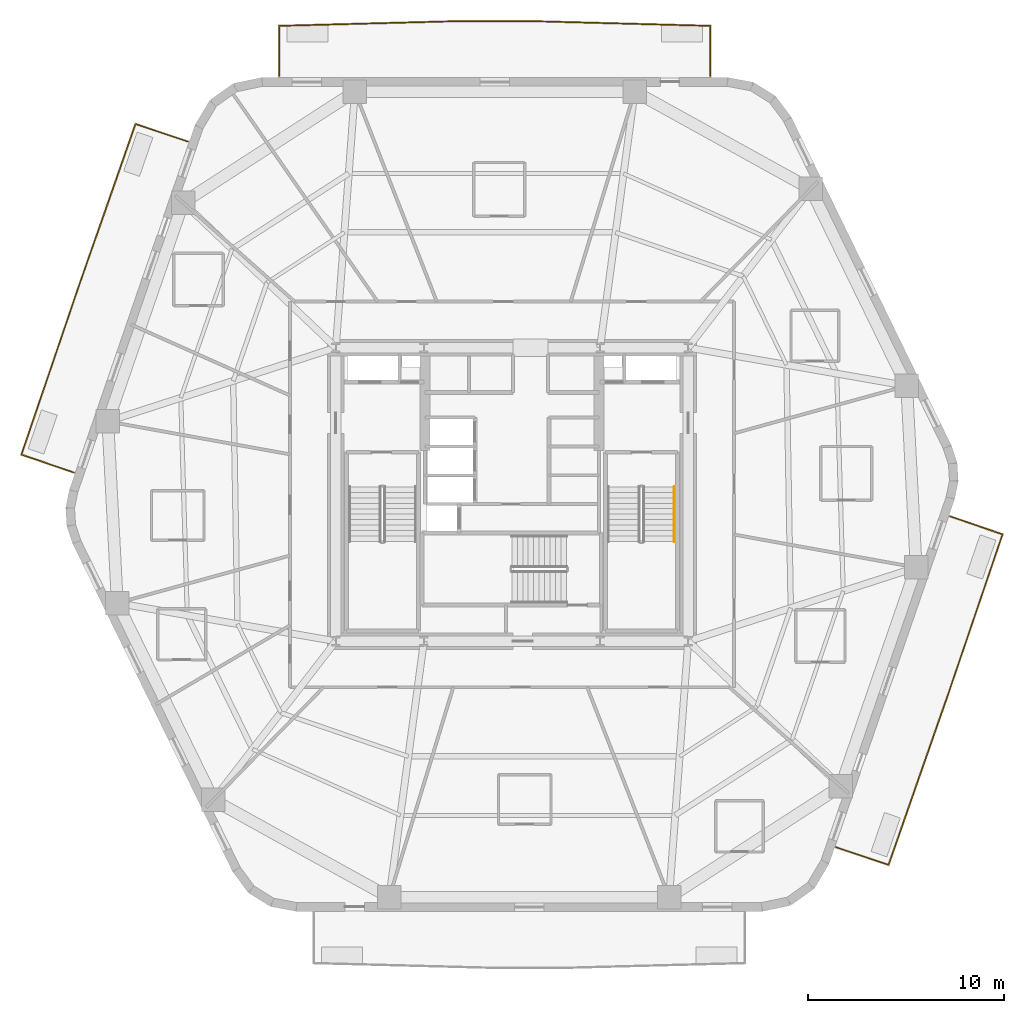
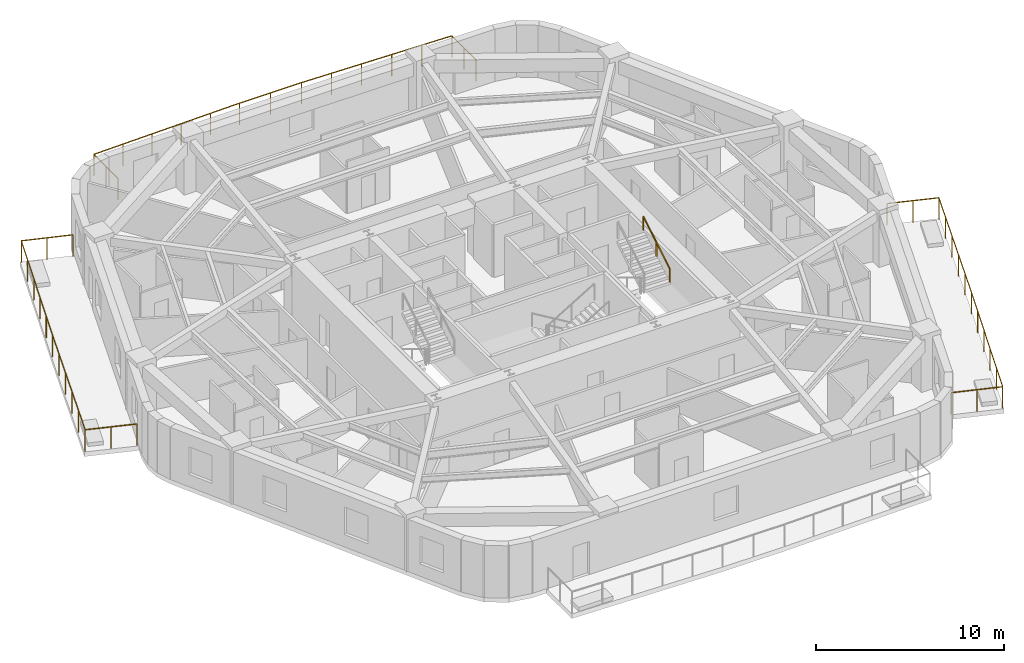
# One storey, part 8 of 8: 4 railings.
"""IFC4 building model written with IfcOpenShell, lengths in metres."""

from ifc_helpers import new_model, si_unit, direction, frame, origin, origin_2d, place, context, subcontext, project, spatial, rectangle, extrude, material, layer, layer_set, type_object, element, save


model = new_model("IFC4")

# Units and contexts
model_context = context("Model", 3, precision=1e-05, world=origin(), true_north=direction((0.0, 1.0)))
body_context = subcontext(model_context, "Body", "Model", "MODEL_VIEW")
ifc_project = project(units=[si_unit("LENGTHUNIT", "METRE"), si_unit("AREAUNIT", "SQUARE_METRE"), si_unit("VOLUMEUNIT", "CUBIC_METRE"), si_unit("PLANEANGLEUNIT", "RADIAN"), si_unit("MASSUNIT", "GRAM", prefix="KILO")], contexts=[model_context])

# Site, building, storey
site_placement = place(None, origin())
site = spatial("IfcSite", under=ifc_project, at=site_placement, CompositionType="ELEMENT")
building_placement = place(site_placement, origin())
building = spatial("IfcBuilding", under=site, at=building_placement, Name="Kilnhurst Terrace Hotel", CompositionType="ELEMENT")
storey_placement = place(building_placement, frame((0.0, 0.0, 132.10009765625)))
storey = spatial("IfcBuildingStorey", under=building, at=storey_placement, Name="L32", CompositionType="ELEMENT", Elevation=132.10009765625)

# Railings
ifc_material_1 = material(Name="Laminated SentryGlas and Stainless Steel AISI 316L Balustrade", Category="steel")
ifc_layer_1 = layer(ifc_material_1, 0.070068359375, Name="Laminated SentryGlas and Stainless Steel AISI 316L Balustrade")
ifc_layer_set_1 = layer_set([ifc_layer_1], Name="Laminated SentryGlas and Stainless Steel AISI 316L Balustrade")
railing_type_1 = type_object("IfcRailingType", Name="RLG-BAL-1420", PredefinedType="BALUSTRADE", material=ifc_layer_set_1)
railing_1_placement = place(storey_placement, frame((22.394287109375, -1.123779296875, 0.0)))
element("IfcRailing", 1, at=railing_1_placement, inside=storey, type_object=railing_type_1, Name="L32 Exterior Terrace Guardrail BAL-L1B.1", PredefinedType="BALUSTRADE", context=body_context, shape_type="SweptSolid", body=[
    extrude(rectangle(XDim=0.048095703125, YDim=0.048095703125, at=origin_2d()), frame((0.0, 0.0, 1.39599609375), z_axis=(0.945999088216, -0.324169284625, 0.0), x_axis=(0.324169284625, 0.945999088216, 0.0)), (0.0, 0.0, 1.0), 2.818115234375),
    extrude(rectangle(XDim=0.048095703125, YDim=0.048095703125, at=origin_2d()), frame((2.666015625, -0.91357421875, 1.39599609375), z_axis=(-0.322236749626, -0.946659113509, 0.0), x_axis=(0.946659113509, -0.322236749626, 0.0)), (0.0, 0.0, 1.0), 8.94921875),
    extrude(rectangle(XDim=0.048095703125, YDim=0.048095703125, at=origin_2d()), frame((-0.2177734375, -9.385498046875, 1.39599609375), z_axis=(-0.329867270016, -0.94402732173, 0.0), x_axis=(0.94402732173, -0.329867270016, 0.0)), (0.0, 0.0, 1.0), 8.9140625),
    extrude(rectangle(XDim=0.048095703125, YDim=0.048095703125, at=origin_2d()), frame((-3.158203125, -17.800537109375, 1.39599609375), z_axis=(-0.948125796951, 0.317895380834, 0.0), x_axis=(-0.317895380834, -0.948125796951, 0.0)), (0.0, 0.0, 1.0), 2.81005859375),
    extrude(rectangle(XDim=0.0419921875, YDim=0.0419921875, at=origin_2d()), origin(), (0.0, 0.0, 1.0), 1.371826171875),
    extrude(rectangle(XDim=0.0419921875, YDim=0.0419921875, at=origin_2d()), frame((1.3330078125, -0.456787109375, 0.0)), (0.0, 0.0, 1.0), 1.371826171875),
    extrude(rectangle(XDim=0.0419921875, YDim=0.0419921875, at=origin_2d()), frame((2.666015625, -0.91357421875, 0.0)), (0.0, 0.0, 1.0), 1.371826171875),
    extrude(rectangle(XDim=0.0419921875, YDim=0.0419921875, at=origin_2d()), frame((2.08935546875, -2.60791015625, 0.0)), (0.0, 0.0, 1.0), 1.371826171875),
    extrude(rectangle(XDim=0.0419921875, YDim=0.0419921875, at=origin_2d()), frame((1.512451171875, -4.30224609375, 0.0)), (0.0, 0.0, 1.0), 1.371826171875),
    extrude(rectangle(XDim=0.0419921875, YDim=0.0419921875, at=origin_2d()), frame((0.935791015625, -5.996826171875, 0.0)), (0.0, 0.0, 1.0), 1.371826171875),
    extrude(rectangle(XDim=0.0419921875, YDim=0.0419921875, at=origin_2d()), frame((0.35888671875, -7.691162109375, 0.0)), (0.0, 0.0, 1.0), 1.371826171875),
    extrude(rectangle(XDim=0.0419921875, YDim=0.0419921875, at=origin_2d()), frame((-0.2177734375, -9.385498046875, 0.0)), (0.0, 0.0, 1.0), 1.371826171875),
    extrude(rectangle(XDim=0.0419921875, YDim=0.0419921875, at=origin_2d()), frame((-0.805908203125, -11.068603515625, 0.0)), (0.0, 0.0, 1.0), 1.371826171875),
    extrude(rectangle(XDim=0.0419921875, YDim=0.0419921875, at=origin_2d()), frame((-1.39404296875, -12.75146484375, 0.0)), (0.0, 0.0, 1.0), 1.371826171875),
    extrude(rectangle(XDim=0.0419921875, YDim=0.0419921875, at=origin_2d()), frame((-1.98193359375, -14.4345703125, 0.0)), (0.0, 0.0, 1.0), 1.371826171875),
    extrude(rectangle(XDim=0.0419921875, YDim=0.0419921875, at=origin_2d()), frame((-2.570068359375, -16.117431640625, 0.0)), (0.0, 0.0, 1.0), 1.371826171875),
    extrude(rectangle(XDim=0.0419921875, YDim=0.0419921875, at=origin_2d()), frame((-3.158203125, -17.800537109375, 0.0)), (0.0, 0.0, 1.0), 1.371826171875),
    extrude(rectangle(XDim=0.0419921875, YDim=0.0419921875, at=origin_2d()), frame((-4.490234375, -17.35400390625, 0.0)), (0.0, 0.0, 1.0), 1.371826171875),
    extrude(rectangle(XDim=0.0419921875, YDim=0.0419921875, at=origin_2d()), frame((-5.822509765625, -16.9072265625, 0.0)), (0.0, 0.0, 1.0), 1.371826171875),
])
railing_2_placement = place(storey_placement, frame((-11.8837890625, 21.3798828125, 0.0)))
element("IfcRailing", 2, at=railing_2_placement, inside=storey, type_object=railing_type_1, Name="L32 Exterior Terrace Guardrail BAL-L2A.1", PredefinedType="BALUSTRADE", context=body_context, shape_type="SweptSolid", body=[
    extrude(rectangle(XDim=0.048095703125, YDim=0.048095703125, at=origin_2d()), frame((0.0, 0.0, 1.39599609375), z_axis=(0.0, 1.0, 0.0), x_axis=(-1.0, 0.0, 0.0)), (0.0, 0.0, 1.0), 2.561767578125),
    extrude(rectangle(XDim=0.048095703125, YDim=0.048095703125, at=origin_2d()), frame((0.0, 2.561767578125, 1.39599609375), z_axis=(0.999657105501, 0.026185328367, 0.0), x_axis=(-0.026185328367, 0.999657105501, 0.0)), (0.0, 0.0, 1.0), 9.099853515625),
    extrude(rectangle(XDim=0.048095703125, YDim=0.048095703125, at=origin_2d()), frame((9.0966796875, 2.800048828125, 1.39599609375), z_axis=(1.0, 0.0, 0.0), x_axis=(0.0, 1.0, 0.0)), (0.0, 0.0, 1.0), 3.8134765625),
    extrude(rectangle(XDim=0.048095703125, YDim=0.048095703125, at=origin_2d()), frame((12.91015625, 2.800048828125, 1.39599609375), z_axis=(0.999657105501, -0.026185328367, 0.0), x_axis=(0.026185328367, 0.999657105501, 0.0)), (0.0, 0.0, 1.0), 9.099853515625),
    extrude(rectangle(XDim=0.048095703125, YDim=0.048095703125, at=origin_2d()), frame((22.0068359375, 2.561767578125, 1.39599609375), z_axis=(0.0, -1.0, 0.0), x_axis=(1.0, 0.0, 0.0)), (0.0, 0.0, 1.0), 2.561767578125),
    extrude(rectangle(XDim=0.0419921875, YDim=0.0419921875, at=origin_2d()), origin(), (0.0, 0.0, 1.0), 1.371826171875),
    extrude(rectangle(XDim=0.0419921875, YDim=0.0419921875, at=origin_2d()), frame((0.0, 1.28076171875, 0.0)), (0.0, 0.0, 1.0), 1.371826171875),
    extrude(rectangle(XDim=0.0419921875, YDim=0.0419921875, at=origin_2d()), frame((0.0, 2.561767578125, 0.0)), (0.0, 0.0, 1.0), 1.371826171875),
    extrude(rectangle(XDim=0.0419921875, YDim=0.0419921875, at=origin_2d()), frame((1.8193359375, 2.609375, 0.0)), (0.0, 0.0, 1.0), 1.371826171875),
    extrude(rectangle(XDim=0.0419921875, YDim=0.0419921875, at=origin_2d()), frame((3.638671875, 2.656982421875, 0.0)), (0.0, 0.0, 1.0), 1.371826171875),
    extrude(rectangle(XDim=0.0419921875, YDim=0.0419921875, at=origin_2d()), frame((5.4580078125, 2.704833984375, 0.0)), (0.0, 0.0, 1.0), 1.371826171875),
    extrude(rectangle(XDim=0.0419921875, YDim=0.0419921875, at=origin_2d()), frame((7.27734375, 2.75244140625, 0.0)), (0.0, 0.0, 1.0), 1.371826171875),
    extrude(rectangle(XDim=0.0419921875, YDim=0.0419921875, at=origin_2d()), frame((9.0966796875, 2.800048828125, 0.0)), (0.0, 0.0, 1.0), 1.371826171875),
    extrude(rectangle(XDim=0.0419921875, YDim=0.0419921875, at=origin_2d()), frame((11.00341796875, 2.800048828125, 0.0)), (0.0, 0.0, 1.0), 1.371826171875),
    extrude(rectangle(XDim=0.0419921875, YDim=0.0419921875, at=origin_2d()), frame((12.91015625, 2.800048828125, 0.0)), (0.0, 0.0, 1.0), 1.371826171875),
    extrude(rectangle(XDim=0.0419921875, YDim=0.0419921875, at=origin_2d()), frame((14.7294921875, 2.75244140625, 0.0)), (0.0, 0.0, 1.0), 1.371826171875),
    extrude(rectangle(XDim=0.0419921875, YDim=0.0419921875, at=origin_2d()), frame((16.548828125, 2.704833984375, 0.0)), (0.0, 0.0, 1.0), 1.371826171875),
    extrude(rectangle(XDim=0.0419921875, YDim=0.0419921875, at=origin_2d()), frame((18.3681640625, 2.656982421875, 0.0)), (0.0, 0.0, 1.0), 1.371826171875),
    extrude(rectangle(XDim=0.0419921875, YDim=0.0419921875, at=origin_2d()), frame((20.1875, 2.609375, 0.0)), (0.0, 0.0, 1.0), 1.371826171875),
    extrude(rectangle(XDim=0.0419921875, YDim=0.0419921875, at=origin_2d()), frame((22.0068359375, 2.561767578125, 0.0)), (0.0, 0.0, 1.0), 1.371826171875),
    extrude(rectangle(XDim=0.0419921875, YDim=0.0419921875, at=origin_2d()), frame((22.0068359375, 1.28076171875, 0.0)), (0.0, 0.0, 1.0), 1.371826171875),
    extrude(rectangle(XDim=0.0419921875, YDim=0.0419921875, at=origin_2d()), frame((22.0068359375, 0.0, 0.0)), (0.0, 0.0, 1.0), 1.371826171875),
])
railing_3_placement = place(storey_placement, frame((-22.394287109375, 1.123779296875, 0.0)))
element("IfcRailing", 3, at=railing_3_placement, inside=storey, type_object=railing_type_1, Name="L32 Exterior Terrace Guardrail BAL-L2B.1", PredefinedType="BALUSTRADE", context=body_context, shape_type="SweptSolid", body=[
    extrude(rectangle(XDim=0.048095703125, YDim=0.048095703125, at=origin_2d()), frame((0.0, 0.0, 1.39599609375), z_axis=(-0.945999088216, 0.324169284625, 0.0), x_axis=(-0.324169284625, -0.945999088216, 0.0)), (0.0, 0.0, 1.0), 2.818115234375),
    extrude(rectangle(XDim=0.048095703125, YDim=0.048095703125, at=origin_2d()), frame((-2.666015625, 0.91357421875, 1.39599609375), z_axis=(0.322236749626, 0.946659113509, 0.0), x_axis=(-0.946659113509, 0.322236749626, 0.0)), (0.0, 0.0, 1.0), 8.94921875),
    extrude(rectangle(XDim=0.048095703125, YDim=0.048095703125, at=origin_2d()), frame((0.2177734375, 9.385498046875, 1.39599609375), z_axis=(0.329867270016, 0.94402732173, 0.0), x_axis=(-0.94402732173, 0.329867270016, 0.0)), (0.0, 0.0, 1.0), 8.9140625),
    extrude(rectangle(XDim=0.048095703125, YDim=0.048095703125, at=origin_2d()), frame((3.158203125, 17.800537109375, 1.39599609375), z_axis=(0.948125796951, -0.317895380834, 0.0), x_axis=(0.317895380834, 0.948125796951, 0.0)), (0.0, 0.0, 1.0), 2.81005859375),
    extrude(rectangle(XDim=0.0419921875, YDim=0.0419921875, at=origin_2d()), origin(), (0.0, 0.0, 1.0), 1.371826171875),
    extrude(rectangle(XDim=0.0419921875, YDim=0.0419921875, at=origin_2d()), frame((-1.3330078125, 0.456787109375, 0.0)), (0.0, 0.0, 1.0), 1.371826171875),
    extrude(rectangle(XDim=0.0419921875, YDim=0.0419921875, at=origin_2d()), frame((-2.666015625, 0.91357421875, 0.0)), (0.0, 0.0, 1.0), 1.371826171875),
    extrude(rectangle(XDim=0.0419921875, YDim=0.0419921875, at=origin_2d()), frame((-2.08935546875, 2.60791015625, 0.0)), (0.0, 0.0, 1.0), 1.371826171875),
    extrude(rectangle(XDim=0.0419921875, YDim=0.0419921875, at=origin_2d()), frame((-1.512451171875, 4.30224609375, 0.0)), (0.0, 0.0, 1.0), 1.371826171875),
    extrude(rectangle(XDim=0.0419921875, YDim=0.0419921875, at=origin_2d()), frame((-0.935791015625, 5.996826171875, 0.0)), (0.0, 0.0, 1.0), 1.371826171875),
    extrude(rectangle(XDim=0.0419921875, YDim=0.0419921875, at=origin_2d()), frame((-0.35888671875, 7.691162109375, 0.0)), (0.0, 0.0, 1.0), 1.371826171875),
    extrude(rectangle(XDim=0.0419921875, YDim=0.0419921875, at=origin_2d()), frame((0.2177734375, 9.385498046875, 0.0)), (0.0, 0.0, 1.0), 1.371826171875),
    extrude(rectangle(XDim=0.0419921875, YDim=0.0419921875, at=origin_2d()), frame((0.805908203125, 11.068603515625, 0.0)), (0.0, 0.0, 1.0), 1.371826171875),
    extrude(rectangle(XDim=0.0419921875, YDim=0.0419921875, at=origin_2d()), frame((1.39404296875, 12.75146484375, 0.0)), (0.0, 0.0, 1.0), 1.371826171875),
    extrude(rectangle(XDim=0.0419921875, YDim=0.0419921875, at=origin_2d()), frame((1.98193359375, 14.4345703125, 0.0)), (0.0, 0.0, 1.0), 1.371826171875),
    extrude(rectangle(XDim=0.0419921875, YDim=0.0419921875, at=origin_2d()), frame((2.570068359375, 16.117431640625, 0.0)), (0.0, 0.0, 1.0), 1.371826171875),
    extrude(rectangle(XDim=0.0419921875, YDim=0.0419921875, at=origin_2d()), frame((3.158203125, 17.800537109375, 0.0)), (0.0, 0.0, 1.0), 1.371826171875),
    extrude(rectangle(XDim=0.0419921875, YDim=0.0419921875, at=origin_2d()), frame((4.490234375, 17.35400390625, 0.0)), (0.0, 0.0, 1.0), 1.371826171875),
    extrude(rectangle(XDim=0.0419921875, YDim=0.0419921875, at=origin_2d()), frame((5.822509765625, 16.9072265625, 0.0)), (0.0, 0.0, 1.0), 1.371826171875),
])
ifc_material_2 = material(Name="Brushed Stainless Steel AISI 304", Category="steel")
ifc_layer_2 = layer(ifc_material_2, 0.048095703125, Name="Brushed Stainless Steel AISI 304")
ifc_layer_set_2 = layer_set([ifc_layer_2], Name="Brushed Stainless Steel AISI 304")
railing_type_2 = type_object("IfcRailingType", Name="RLG-ST-HRL-900", PredefinedType="HANDRAIL", material=ifc_layer_set_2)
railing_4_placement = place(storey_placement, frame((8.300048828125, -2.409912109375, 2.01806640625)))
element("IfcRailing", 4, at=railing_4_placement, inside=storey, type_object=railing_type_2, Name="L32 ST-2 stair handrail 2", PredefinedType="HANDRAIL", context=body_context, shape_type="SweptSolid", body=[
    extrude(rectangle(XDim=0.048095703125, YDim=0.048095703125, at=origin_2d()), frame((0.0, 0.0, 0.8759765625), z_axis=(0.0, 0.857222391501, 0.514946377315), x_axis=(-1.0, 0.0, 0.0)), (0.0, 0.0, 1.0), 3.26611328125),
    extrude(rectangle(XDim=0.0419921875, YDim=0.0419921875, at=origin_2d()), origin(), (0.0, 0.0, 1.0), 0.851806640625),
    extrude(rectangle(XDim=0.0419921875, YDim=0.0419921875, at=origin_2d()), frame((0.0, 1.39990234375, 0.8408203125)), (0.0, 0.0, 1.0), 0.851806640625),
    extrude(rectangle(XDim=0.0419921875, YDim=0.0419921875, at=origin_2d()), frame((0.0, 2.7998046875, 1.681884765625)), (0.0, 0.0, 1.0), 0.851806640625),
])

save(model, "model.ifc")
